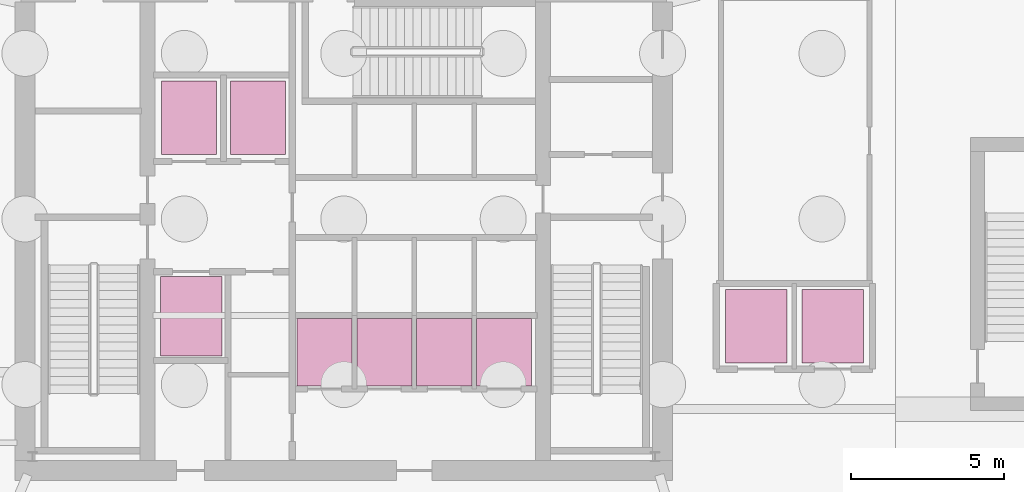
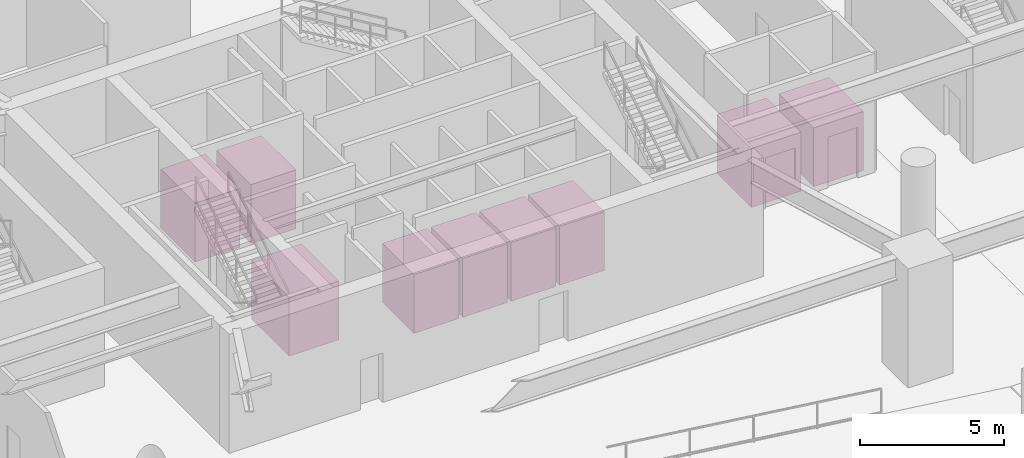
# One storey, part 11 of 11: 9 transport elements.
"""IFC4 building model written with IfcOpenShell, lengths in metres."""

import ifcopenshell
import ifcopenshell.guid

model = None  # the IFC model being written
_history = None  # IfcOwnerHistory: only IFC2X3 demands one
_inside = {}  # id of a spatial element -> (the spatial element, [elements in it])
_under = {}  # id of a project, library or spatial element -> (it, [spatial elements below it])
_declared = {}  # id of a project -> (the project, [libraries it declares])
_typed = {}  # id of a type object -> (the type object, [elements of that type])
_made_of = {}  # id of a material, layer set ... -> (it, [elements and type objects made of it])


def new_model(schema):
    """Start an empty IFC model of exactly this schema.

    Asked for "IFC4X3", IfcOpenShell would pick the latest addendum, in which some entities
    have other attributes; the version numbers below select the first issue.
    IFC2X3 requires an IfcOwnerHistory on every rooted entity: one is made here for all.
    """
    global model, _history
    if schema == "IFC4X3":
        model = ifcopenshell.file(schema_version=(4, 3, 0, 0))
    else:
        model = ifcopenshell.file(schema=schema)
    _inside.clear()
    _under.clear()
    _declared.clear()
    _typed.clear()
    _made_of.clear()
    _history = None
    if model.schema == "IFC2X3":
        org = make("IfcOrganization", Name="unknown")
        user = make(
            "IfcPersonAndOrganization",
            ThePerson=make("IfcPerson", FamilyName="unknown"),
            TheOrganization=org,
        )
        app = make(
            "IfcApplication",
            ApplicationDeveloper=org,
            Version="unknown",
            ApplicationFullName="unknown",
            ApplicationIdentifier="unknown",
        )
        _history = make(
            "IfcOwnerHistory",
            OwningUser=user,
            OwningApplication=app,
            ChangeAction="ADDED",
            CreationDate=0,
        )
    return model


def make(cls, **values):
    """One entity of the class cls with the attributes given. An attribute that is None is left unset."""
    return model.create_entity(
        cls, **{name: value for name, value in values.items() if value is not None}
    )


def rooted(cls, **values):
    """An entity with a GlobalId (a new one), such as an element, a storey or a relation."""
    return make(cls, GlobalId=ifcopenshell.guid.new(), OwnerHistory=_history, **values)


def si_unit(unit_type, name, prefix=None):
    """IfcSIUnit, for example si_unit("LENGTHUNIT", "METRE", prefix="MILLI")."""
    return make("IfcSIUnit", UnitType=unit_type, Prefix=prefix, Name=name)


def assignment(units):
    """IfcUnitAssignment: the units of a project."""
    return None if units is None else make("IfcUnitAssignment", Units=units)


def point(xyz):
    """IfcCartesianPoint."""
    return None if xyz is None else make("IfcCartesianPoint", Coordinates=xyz)


def direction(xyz):
    """IfcDirection."""
    return None if xyz is None else make("IfcDirection", DirectionRatios=xyz)


def frame(location, z_axis=None, x_axis=None):
    """IfcAxis2Placement3D, a coordinate frame: its origin and axes. An axis left out is left unset."""
    return make(
        "IfcAxis2Placement3D",
        Location=point(location),
        Axis=direction(z_axis),
        RefDirection=direction(x_axis),
    )


def frame_2d(location, x_axis=None):
    """IfcAxis2Placement2D, a coordinate frame in the plane: its origin and x axis."""
    return make(
        "IfcAxis2Placement2D", Location=point(location), RefDirection=direction(x_axis)
    )


def origin():
    """The frame at (0, 0, 0) with its axes left unset."""
    return frame((0.0, 0.0, 0.0))


def origin_2d():
    """The frame at (0, 0) in the plane with its x axis left unset."""
    return frame_2d((0.0, 0.0))


def place(relative_to, where):
    """IfcLocalPlacement: puts the frame where relative to a parent placement (None: the world)."""
    return make(
        "IfcLocalPlacement", PlacementRelTo=relative_to, RelativePlacement=where
    )


def context(
    kind, dimensions, precision=None, world=None, true_north=None, identifier=None
):
    """IfcGeometricRepresentationContext, for example the 3D "Model" context."""
    return make(
        "IfcGeometricRepresentationContext",
        ContextIdentifier=identifier,
        ContextType=kind,
        CoordinateSpaceDimension=dimensions,
        Precision=precision,
        WorldCoordinateSystem=world,
        TrueNorth=true_north,
    )


def subcontext(parent, identifier, kind, view, scale=None):
    """IfcGeometricRepresentationSubContext, for example "Body" below "Model"."""
    return make(
        "IfcGeometricRepresentationSubContext",
        ContextIdentifier=identifier,
        ContextType=kind,
        ParentContext=parent,
        TargetScale=scale,
        TargetView=view,
    )


def project(units=None, contexts=None):
    """IfcProject with its units and contexts."""
    return rooted(
        "IfcProject",
        Name="project",
        RepresentationContexts=contexts,
        UnitsInContext=assignment(units),
    )


def spatial(cls, under=None, at=None, **own):
    """A site, building, storey or space (cls), placed at a placement, below another one or the project."""
    s = rooted(cls, ObjectPlacement=at, **own)
    if under is not None:
        _under.setdefault(under.id(), (under, []))[1].append(s)
    return s


def profile(cls, at=None, kind="AREA", **sizes):
    """A parametric profile (cls). Its sizes go by their IFC names, for example OverallWidth=200.0."""
    return make(cls, ProfileType=kind, Position=at, **sizes)


def rectangle(**sizes):
    """IfcRectangleProfileDef."""
    return profile("IfcRectangleProfileDef", **sizes)


def extrude(swept, where, along, depth):
    """IfcExtrudedAreaSolid: the profile swept, set in the frame where, extruded along a direction by depth."""
    return make(
        "IfcExtrudedAreaSolid",
        SweptArea=swept,
        Position=where,
        ExtrudedDirection=direction(along),
        Depth=depth,
    )


def shape(context_of_items, identifier, shape_type, items):
    """IfcShapeRepresentation: the items that make up one representation, for example the "Body"."""
    return make(
        "IfcShapeRepresentation",
        ContextOfItems=context_of_items,
        RepresentationIdentifier=identifier,
        RepresentationType=shape_type,
        Items=items,
    )


def material(Name=None, Category=None):
    """IfcMaterial."""
    return make("IfcMaterial", Name=Name, Category=Category)


def made_of(thing, what):
    """Note that an element or type object is made of a material, layer set ...; save() writes the relation."""
    if what is not None:
        _made_of.setdefault(what.id(), (what, []))[1].append(thing)
    return thing


def type_object(cls, material=None, **own):
    """A type object (cls), such as IfcWallType, which elements share."""
    return made_of(rooted(cls, **own), material)


def element(
    cls,
    number,
    at=None,
    inside=None,
    cuts=None,
    type_object=None,
    material=None,
    context=None,
    identifier="Body",
    shape_type=None,
    held_by="IfcProductDefinitionShape",
    body=None,
    shapes=None,
    **own,
):
    """One element of the class cls, such as IfcWall. Its Tag is "e" and its number.

    at: its placement. inside: the storey or other place that contains it. cuts: it is an
    opening in that element (IfcRelVoidsElement). A single representation is given by context,
    identifier, shape_type and body (its items); several are given by shapes. held_by: the class
    of the entity that holds the representations. save() writes the other relations.
    """
    e = rooted(cls, Tag="e%d" % number, ObjectPlacement=at, **own)
    if body is not None:
        shapes = [shape(context, identifier, shape_type, body)]
    if shapes is not None:
        e.Representation = make(held_by, Representations=shapes)
    if inside is not None:
        _inside.setdefault(inside.id(), (inside, []))[1].append(e)
    if cuts is not None:
        rooted(
            "IfcRelVoidsElement", RelatingBuildingElement=cuts, RelatedOpeningElement=e
        )
    if type_object is not None:
        _typed.setdefault(type_object.id(), (type_object, []))[1].append(e)
    return made_of(e, material)


def aggregate(whole, parts):
    """IfcRelAggregates: a whole, such as a stair, and the parts it consists of."""
    return rooted("IfcRelAggregates", RelatingObject=whole, RelatedObjects=parts)


def save(model, path):
    """Write the relations noted so far, then the file.

    IfcRelAggregates (storeys below a building ...), IfcRelContainedInSpatialStructure (elements
    in a storey), IfcRelDefinesByType, IfcRelAssociatesMaterial and IfcRelDeclares: one each for
    every whole, place, type object, material and project.
    """
    for whole, parts in _under.values():
        aggregate(whole, parts)
    for where, things in _inside.values():
        rooted(
            "IfcRelContainedInSpatialStructure",
            RelatedElements=things,
            RelatingStructure=where,
        )
    for kind, things in _typed.values():
        rooted("IfcRelDefinesByType", RelatedObjects=things, RelatingType=kind)
    for what, things in _made_of.values():
        rooted("IfcRelAssociatesMaterial", RelatedObjects=things, RelatingMaterial=what)
    for by, libraries in _declared.values():
        rooted("IfcRelDeclares", RelatingContext=by, RelatedDefinitions=libraries)
    model.write(path)


model = new_model("IFC4")

# Units and contexts
model_context = context("Model", 3, precision=1e-05, world=origin(), true_north=direction((0.0, 1.0)))
body_context = subcontext(model_context, "Body", "Model", "MODEL_VIEW")
ifc_project = project(units=[si_unit("LENGTHUNIT", "METRE"), si_unit("AREAUNIT", "SQUARE_METRE"), si_unit("VOLUMEUNIT", "CUBIC_METRE"), si_unit("PLANEANGLEUNIT", "RADIAN"), si_unit("MASSUNIT", "GRAM", prefix="KILO")], contexts=[model_context])

# Site, building, storey
site_placement = place(None, origin())
site = spatial("IfcSite", under=ifc_project, at=site_placement, CompositionType="ELEMENT")
building_placement = place(site_placement, origin())
building = spatial("IfcBuilding", under=site, at=building_placement, Name="Qarnah Convention Tower", CompositionType="ELEMENT")
storey_placement = place(building_placement, frame((0.0, 0.0, -5.39990234375)))
storey = spatial("IfcBuildingStorey", under=building, at=storey_placement, Name="B1", CompositionType="ELEMENT", Elevation=-5.39990234375)

# Transport elements
ifc_material = material(Name="Structural steel S355JR", Category="steel")
transport_element_type_1 = type_object("IfcTransportElementType", Name="LFT-FFL-1800", PredefinedType="ELEVATOR", material=ifc_material)
for number, where, z_axis, x_axis, name in (
    (1, (32.14990234375, 30.10009765625, 0.0), (0.0, 0.0, 1.0), (1.0, 0.0, 0.0), "Fire service access elevator FFL-01"),
    (2, (34.39990234375, 30.10009765625, 0.0), (0.0, 0.0, 1.0), (1.0, 0.0, 0.0), "Fire service access elevator FFL-02"),
):
    element("IfcTransportElement", number, at=place(storey_placement, frame(where, z_axis=z_axis, x_axis=x_axis)), inside=storey, type_object=transport_element_type_1, Name=name, PredefinedType="ELEVATOR", context=body_context, shape_type="SweptSolid", body=[
        extrude(rectangle(XDim=1.800048828125, YDim=2.39990234375, at=origin_2d()), origin(), (0.0, 0.0, 1.0), 2.5),
    ])
transport_element_type_2 = type_object("IfcTransportElementType", Name="LFT-PL-1600", PredefinedType="ELEVATOR", material=ifc_material)
for number, where, z_axis, x_axis, name in (
    (3, (36.574951171875, 22.449951171875, 0.0), (0.0, 0.0, 1.0), (1.0, 0.0, 0.0), "Low-rise passenger lift PL-01"),
    (4, (38.52490234375, 22.449951171875, 0.0), (0.0, 0.0, 1.0), (1.0, 0.0, 0.0), "Low-rise passenger lift PL-02"),
    (5, (40.47509765625, 22.449951171875, 0.0), (0.0, 0.0, 1.0), (1.0, 0.0, 0.0), "Low-rise passenger lift PL-03"),
    (6, (42.425048828125, 22.449951171875, 0.0), (0.0, 0.0, 1.0), (1.0, 0.0, 0.0), "Low-rise passenger lift PL-04"),
):
    element("IfcTransportElement", number, at=place(storey_placement, frame(where, z_axis=z_axis, x_axis=x_axis)), inside=storey, type_object=transport_element_type_2, Name=name, PredefinedType="ELEVATOR", context=body_context, shape_type="SweptSolid", body=[
        extrude(rectangle(XDim=1.800048828125, YDim=2.199951171875, at=origin_2d()), origin(), (0.0, 0.0, 1.0), 2.5),
    ])
transport_element_type_3 = type_object("IfcTransportElementType", Name="LFT-PS-2000", PredefinedType="ELEVATOR", material=ifc_material)
for number, where, z_axis, x_axis, name in (
    (7, (50.64990234375, 23.300048828125, 0.0), (0.0, 0.0, 1.0), (1.0, 0.0, 0.0), "Podium shuttle passenger lift PS-01"),
    (8, (53.14990234375, 23.300048828125, 0.0), (0.0, 0.0, 1.0), (1.0, 0.0, 0.0), "Podium shuttle passenger lift PS-02"),
):
    element("IfcTransportElement", number, at=place(storey_placement, frame(where, z_axis=z_axis, x_axis=x_axis)), inside=storey, type_object=transport_element_type_3, Name=name, PredefinedType="ELEVATOR", context=body_context, shape_type="SweptSolid", body=[
        extrude(rectangle(XDim=2.0, YDim=2.39990234375, at=origin_2d()), origin(), (0.0, 0.0, 1.0), 2.5),
    ])
transport_element_type_4 = type_object("IfcTransportElementType", Name="LFT-SVL-2500", PredefinedType="ELEVATOR", material=ifc_material)
transport_element_placement = place(storey_placement, frame((32.22509765625, 23.625, 0.0), z_axis=(0.0, 0.0, 1.0), x_axis=(1.0, 0.0, 0.0)))
element("IfcTransportElement", 9, at=transport_element_placement, inside=storey, type_object=transport_element_type_4, Name="Heavy goods and service lift SVL-01", PredefinedType="ELEVATOR", context=body_context, shape_type="SweptSolid", body=[
    extrude(rectangle(XDim=2.0, YDim=2.60009765625, at=origin_2d()), origin(), (0.0, 0.0, 1.0), 2.5),
])

save(model, "model.ifc")
